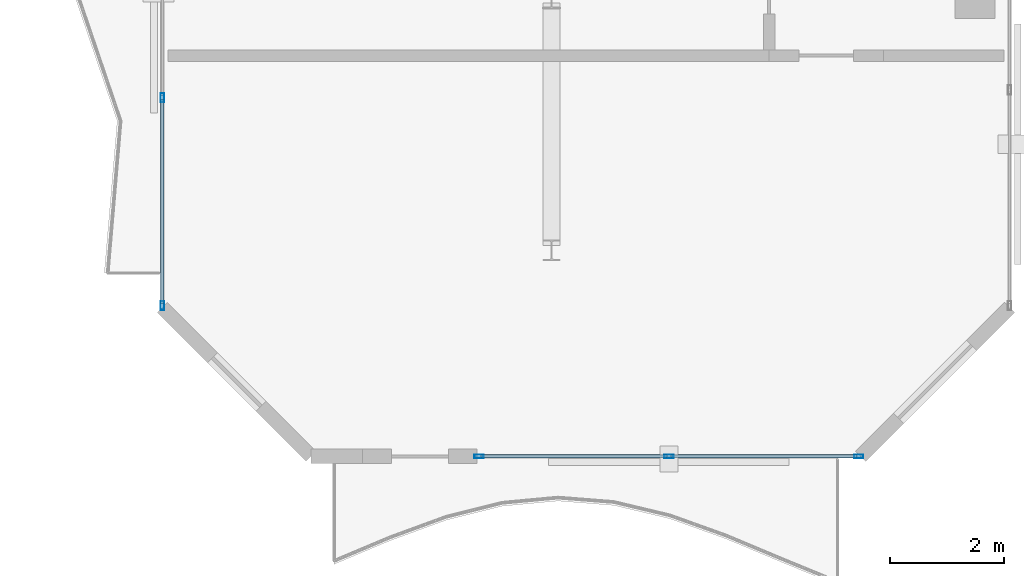
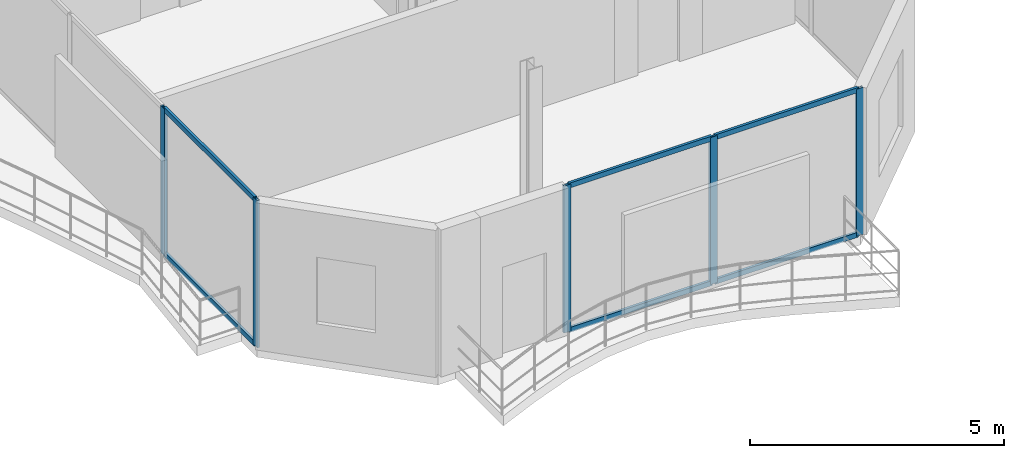
# One storey, part 2 of 17: 11 members, 2 elements without a shape of their own.
"""IFC4 building model written with IfcOpenShell, lengths in metres."""

import ifcopenshell
import ifcopenshell.guid

model = None  # the IFC model being written
_history = None  # IfcOwnerHistory: only IFC2X3 demands one
_inside = {}  # id of a spatial element -> (the spatial element, [elements in it])
_under = {}  # id of a project, library or spatial element -> (it, [spatial elements below it])
_declared = {}  # id of a project -> (the project, [libraries it declares])
_typed = {}  # id of a type object -> (the type object, [elements of that type])
_made_of = {}  # id of a material, layer set ... -> (it, [elements and type objects made of it])


def new_model(schema):
    """Start an empty IFC model of exactly this schema.

    Asked for "IFC4X3", IfcOpenShell would pick the latest addendum, in which some entities
    have other attributes; the version numbers below select the first issue.
    IFC2X3 requires an IfcOwnerHistory on every rooted entity: one is made here for all.
    """
    global model, _history
    if schema == "IFC4X3":
        model = ifcopenshell.file(schema_version=(4, 3, 0, 0))
    else:
        model = ifcopenshell.file(schema=schema)
    _inside.clear()
    _under.clear()
    _declared.clear()
    _typed.clear()
    _made_of.clear()
    _history = None
    if model.schema == "IFC2X3":
        org = make("IfcOrganization", Name="unknown")
        user = make(
            "IfcPersonAndOrganization",
            ThePerson=make("IfcPerson", FamilyName="unknown"),
            TheOrganization=org,
        )
        app = make(
            "IfcApplication",
            ApplicationDeveloper=org,
            Version="unknown",
            ApplicationFullName="unknown",
            ApplicationIdentifier="unknown",
        )
        _history = make(
            "IfcOwnerHistory",
            OwningUser=user,
            OwningApplication=app,
            ChangeAction="ADDED",
            CreationDate=0,
        )
    return model


def make(cls, **values):
    """One entity of the class cls with the attributes given. An attribute that is None is left unset."""
    return model.create_entity(
        cls, **{name: value for name, value in values.items() if value is not None}
    )


def rooted(cls, **values):
    """An entity with a GlobalId (a new one), such as an element, a storey or a relation."""
    return make(cls, GlobalId=ifcopenshell.guid.new(), OwnerHistory=_history, **values)


def si_unit(unit_type, name, prefix=None):
    """IfcSIUnit, for example si_unit("LENGTHUNIT", "METRE", prefix="MILLI")."""
    return make("IfcSIUnit", UnitType=unit_type, Prefix=prefix, Name=name)


def assignment(units):
    """IfcUnitAssignment: the units of a project."""
    return None if units is None else make("IfcUnitAssignment", Units=units)


def point(xyz):
    """IfcCartesianPoint."""
    return None if xyz is None else make("IfcCartesianPoint", Coordinates=xyz)


def direction(xyz):
    """IfcDirection."""
    return None if xyz is None else make("IfcDirection", DirectionRatios=xyz)


def frame(location, z_axis=None, x_axis=None):
    """IfcAxis2Placement3D, a coordinate frame: its origin and axes. An axis left out is left unset."""
    return make(
        "IfcAxis2Placement3D",
        Location=point(location),
        Axis=direction(z_axis),
        RefDirection=direction(x_axis),
    )


def frame_2d(location, x_axis=None):
    """IfcAxis2Placement2D, a coordinate frame in the plane: its origin and x axis."""
    return make(
        "IfcAxis2Placement2D", Location=point(location), RefDirection=direction(x_axis)
    )


def origin():
    """The frame at (0, 0, 0) with its axes left unset."""
    return frame((0.0, 0.0, 0.0))


def origin_2d():
    """The frame at (0, 0) in the plane with its x axis left unset."""
    return frame_2d((0.0, 0.0))


def place(relative_to, where):
    """IfcLocalPlacement: puts the frame where relative to a parent placement (None: the world)."""
    return make(
        "IfcLocalPlacement", PlacementRelTo=relative_to, RelativePlacement=where
    )


def context(
    kind, dimensions, precision=None, world=None, true_north=None, identifier=None
):
    """IfcGeometricRepresentationContext, for example the 3D "Model" context."""
    return make(
        "IfcGeometricRepresentationContext",
        ContextIdentifier=identifier,
        ContextType=kind,
        CoordinateSpaceDimension=dimensions,
        Precision=precision,
        WorldCoordinateSystem=world,
        TrueNorth=true_north,
    )


def subcontext(parent, identifier, kind, view, scale=None):
    """IfcGeometricRepresentationSubContext, for example "Body" below "Model"."""
    return make(
        "IfcGeometricRepresentationSubContext",
        ContextIdentifier=identifier,
        ContextType=kind,
        ParentContext=parent,
        TargetScale=scale,
        TargetView=view,
    )


def project(units=None, contexts=None):
    """IfcProject with its units and contexts."""
    return rooted(
        "IfcProject",
        Name="project",
        RepresentationContexts=contexts,
        UnitsInContext=assignment(units),
    )


def spatial(cls, under=None, at=None, **own):
    """A site, building, storey or space (cls), placed at a placement, below another one or the project."""
    s = rooted(cls, ObjectPlacement=at, **own)
    if under is not None:
        _under.setdefault(under.id(), (under, []))[1].append(s)
    return s


def profile(cls, at=None, kind="AREA", **sizes):
    """A parametric profile (cls). Its sizes go by their IFC names, for example OverallWidth=200.0."""
    return make(cls, ProfileType=kind, Position=at, **sizes)


def hollow_rectangle(**sizes):
    """IfcRectangleHollowProfileDef."""
    return profile("IfcRectangleHollowProfileDef", **sizes)


def extrude(swept, where, along, depth):
    """IfcExtrudedAreaSolid: the profile swept, set in the frame where, extruded along a direction by depth."""
    return make(
        "IfcExtrudedAreaSolid",
        SweptArea=swept,
        Position=where,
        ExtrudedDirection=direction(along),
        Depth=depth,
    )


def shape(context_of_items, identifier, shape_type, items):
    """IfcShapeRepresentation: the items that make up one representation, for example the "Body"."""
    return make(
        "IfcShapeRepresentation",
        ContextOfItems=context_of_items,
        RepresentationIdentifier=identifier,
        RepresentationType=shape_type,
        Items=items,
    )


def material(Name=None, Category=None):
    """IfcMaterial."""
    return make("IfcMaterial", Name=Name, Category=Category)


def layer(
    of_material, thickness, ventilated=None, Name=None, Category=None, Priority=None
):
    """IfcMaterialLayer: one layer of a wall or slab, of a material (None: an air gap)."""
    return make(
        "IfcMaterialLayer",
        Material=of_material,
        LayerThickness=thickness,
        IsVentilated=ventilated,
        Name=Name,
        Category=Category,
        Priority=Priority,
    )


def layer_set(layers, Name=None):
    """IfcMaterialLayerSet."""
    return make("IfcMaterialLayerSet", MaterialLayers=layers, LayerSetName=Name)


def material_profile(
    of_material, cross_section, Name=None, Category=None, Priority=None
):
    """IfcMaterialProfile: a cross section and its material."""
    return make(
        "IfcMaterialProfile",
        Name=Name,
        Material=of_material,
        Profile=cross_section,
        Priority=Priority,
        Category=Category,
    )


def profile_set(profiles, Name=None, composite=None):
    """IfcMaterialProfileSet."""
    return make(
        "IfcMaterialProfileSet",
        Name=Name,
        MaterialProfiles=profiles,
        CompositeProfile=composite,
    )


def made_of(thing, what):
    """Note that an element or type object is made of a material, layer set ...; save() writes the relation."""
    if what is not None:
        _made_of.setdefault(what.id(), (what, []))[1].append(thing)
    return thing


def type_object(cls, material=None, **own):
    """A type object (cls), such as IfcWallType, which elements share."""
    return made_of(rooted(cls, **own), material)


def element(
    cls,
    number,
    at=None,
    inside=None,
    cuts=None,
    type_object=None,
    material=None,
    context=None,
    identifier="Body",
    shape_type=None,
    held_by="IfcProductDefinitionShape",
    body=None,
    shapes=None,
    **own,
):
    """One element of the class cls, such as IfcWall. Its Tag is "e" and its number.

    at: its placement. inside: the storey or other place that contains it. cuts: it is an
    opening in that element (IfcRelVoidsElement). A single representation is given by context,
    identifier, shape_type and body (its items); several are given by shapes. held_by: the class
    of the entity that holds the representations. save() writes the other relations.
    """
    e = rooted(cls, Tag="e%d" % number, ObjectPlacement=at, **own)
    if body is not None:
        shapes = [shape(context, identifier, shape_type, body)]
    if shapes is not None:
        e.Representation = make(held_by, Representations=shapes)
    if inside is not None:
        _inside.setdefault(inside.id(), (inside, []))[1].append(e)
    if cuts is not None:
        rooted(
            "IfcRelVoidsElement", RelatingBuildingElement=cuts, RelatedOpeningElement=e
        )
    if type_object is not None:
        _typed.setdefault(type_object.id(), (type_object, []))[1].append(e)
    return made_of(e, material)


def aggregate(whole, parts):
    """IfcRelAggregates: a whole, such as a stair, and the parts it consists of."""
    return rooted("IfcRelAggregates", RelatingObject=whole, RelatedObjects=parts)


def save(model, path):
    """Write the relations noted so far, then the file.

    IfcRelAggregates (storeys below a building ...), IfcRelContainedInSpatialStructure (elements
    in a storey), IfcRelDefinesByType, IfcRelAssociatesMaterial and IfcRelDeclares: one each for
    every whole, place, type object, material and project.
    """
    for whole, parts in _under.values():
        aggregate(whole, parts)
    for where, things in _inside.values():
        rooted(
            "IfcRelContainedInSpatialStructure",
            RelatedElements=things,
            RelatingStructure=where,
        )
    for kind, things in _typed.values():
        rooted("IfcRelDefinesByType", RelatedObjects=things, RelatingType=kind)
    for what, things in _made_of.values():
        rooted("IfcRelAssociatesMaterial", RelatedObjects=things, RelatingMaterial=what)
    for by, libraries in _declared.values():
        rooted("IfcRelDeclares", RelatingContext=by, RelatedDefinitions=libraries)
    model.write(path)


model = new_model("IFC4")

# Units and contexts
model_context = context("Model", 3, precision=1e-05, world=origin(), true_north=direction((0.0, 1.0)))
body_context = subcontext(model_context, "Body", "Model", "MODEL_VIEW")
ifc_project = project(units=[si_unit("LENGTHUNIT", "METRE"), si_unit("AREAUNIT", "SQUARE_METRE"), si_unit("VOLUMEUNIT", "CUBIC_METRE"), si_unit("PLANEANGLEUNIT", "RADIAN"), si_unit("MASSUNIT", "GRAM", prefix="KILO")], contexts=[model_context])

# Site, building, storey
site_placement = place(None, origin())
site = spatial("IfcSite", under=ifc_project, at=site_placement, CompositionType="ELEMENT")
building_placement = place(site_placement, origin())
building = spatial("IfcBuilding", under=site, at=building_placement, Name="Catumbela Crestline Tower", CompositionType="ELEMENT")
storey_placement = place(building_placement, frame((0.0, 0.0, 283.0)))
storey = spatial("IfcBuildingStorey", under=building, at=storey_placement, Name="L73", CompositionType="ELEMENT", Elevation=283.0)

# Curtain wall, members
ifc_material = material(Name="Aluminium alloy AW-6060-T66", Category="aluminium")
ifc_layer = layer(ifc_material, 0.18, Name="Aluminium alloy AW-6060-T66")
ifc_layer_set = layer_set([ifc_layer], Name="Aluminium alloy AW-6060-T66")
curtain_wall_type = type_object("IfcCurtainWallType", Name="CWU-Z4", PredefinedType="USERDEFINED", material=ifc_layer_set)
curtain_wall_1_placement = place(storey_placement, origin())
curtain_wall_1 = element("IfcCurtainWall", 1, at=curtain_wall_1_placement, inside=storey, type_object=curtain_wall_type, Name="L73 Unitised Curtain Wall CW-L73-E0S2", ObjectType="UNITISED", PredefinedType="USERDEFINED")
ifc_material_profile_1 = material_profile(ifc_material, hollow_rectangle(XDim=0.06, YDim=0.16, WallThickness=0.004, at=origin_2d()), Name="ALU 160x60x4")
ifc_profile_set_1 = profile_set([ifc_material_profile_1], Name="Aluminium alloy AW-6060-T66")
member_type_1 = type_object("IfcMemberType", Name="MUL-160X60", PredefinedType="MULLION", material=ifc_profile_set_1)
member_1_placement = place(storey_placement, frame((14.7325, 10.0, 0.0), z_axis=(0.0, 0.0, 1.0), x_axis=(0.0, 1.0, 0.0)))
member_1 = element("IfcMember", 2, at=member_1_placement, type_object=member_type_1, Name="CWU-Z4 mullion 1", PredefinedType="MULLION", context=body_context, shape_type="SweptSolid", body=[
    extrude(hollow_rectangle(XDim=0.06, YDim=0.16, WallThickness=0.004, at=origin_2d()), origin(), (0.0, 0.0, 1.0), 3.53),
])
member_2_placement = place(storey_placement, frame((18.05, 10.0, 0.0), z_axis=(0.0, 0.0, 1.0), x_axis=(0.0, 1.0, 0.0)))
member_2 = element("IfcMember", 3, at=member_2_placement, type_object=member_type_1, Name="CWU-Z4 mullion 2", PredefinedType="MULLION", context=body_context, shape_type="SweptSolid", body=[
    extrude(hollow_rectangle(XDim=0.06, YDim=0.16, WallThickness=0.004, at=origin_2d()), origin(), (0.0, 0.0, 1.0), 3.53),
])
member_3_placement = place(storey_placement, frame((21.3675, 10.0, 0.0), z_axis=(0.0, 0.0, 1.0), x_axis=(0.0, 1.0, 0.0)))
member_3 = element("IfcMember", 4, at=member_3_placement, type_object=member_type_1, Name="CWU-Z4 mullion 3", PredefinedType="MULLION", context=body_context, shape_type="SweptSolid", body=[
    extrude(hollow_rectangle(XDim=0.06, YDim=0.16, WallThickness=0.004, at=origin_2d()), origin(), (0.0, 0.0, 1.0), 3.53),
])

curtain_wall_2_placement = place(storey_placement, origin())
curtain_wall_2 = element("IfcCurtainWall", 5, at=curtain_wall_2_placement, inside=storey, type_object=curtain_wall_type, Name="L73 Unitised Curtain Wall CW-L73-E9S2", ObjectType="UNITISED", PredefinedType="USERDEFINED")
member_4_placement = place(storey_placement, frame((9.2, 16.2667, 0.0), z_axis=(0.0, 0.0, 1.0), x_axis=(1.0, 0.0, 0.0)))
member_4 = element("IfcMember", 6, at=member_4_placement, type_object=member_type_1, Name="CWU-Z4 mullion 6", PredefinedType="MULLION", context=body_context, shape_type="SweptSolid", body=[
    extrude(hollow_rectangle(XDim=0.06, YDim=0.16, WallThickness=0.004, at=origin_2d()), origin(), (0.0, 0.0, 1.0), 3.53),
])
member_5_placement = place(storey_placement, frame((9.2, 12.6325, 0.0), z_axis=(0.0, 0.0, 1.0), x_axis=(1.0, 0.0, 0.0)))
member_5 = element("IfcMember", 7, at=member_5_placement, type_object=member_type_1, Name="CWU-Z4 mullion 7", PredefinedType="MULLION", context=body_context, shape_type="SweptSolid", body=[
    extrude(hollow_rectangle(XDim=0.06, YDim=0.16, WallThickness=0.004, at=origin_2d()), origin(), (0.0, 0.0, 1.0), 3.53),
])

# Member
ifc_material_profile_2 = material_profile(ifc_material, hollow_rectangle(XDim=0.06, YDim=0.12, WallThickness=0.0035, at=origin_2d()), Name="ALU 120x60x3.5")
ifc_profile_set_2 = profile_set([ifc_material_profile_2], Name="Aluminium alloy AW-6060-T66")
member_type_2 = type_object("IfcMemberType", Name="TRN-120X60", PredefinedType="USERDEFINED", material=ifc_profile_set_2)
member_6_placement = place(storey_placement, frame((14.765, 10.0, 0.03), z_axis=(1.0, 0.0, 0.0), x_axis=(0.0, 1.0, 0.0)))
member_6 = element("IfcMember", 8, at=member_6_placement, type_object=member_type_2, Name="CWU-Z4 transom 1.1", ObjectType="TRANSOM", PredefinedType="USERDEFINED", context=body_context, shape_type="SweptSolid", body=[
    extrude(hollow_rectangle(XDim=0.06, YDim=0.12, WallThickness=0.0035, at=origin_2d()), origin(), (0.0, 0.0, 1.0), 3.2525),
])

member_7_placement = place(storey_placement, frame((14.765, 10.0, 3.5), z_axis=(1.0, 0.0, 0.0), x_axis=(0.0, 1.0, 0.0)))
member_7 = element("IfcMember", 9, at=member_7_placement, type_object=member_type_2, Name="CWU-Z4 transom 1.2", ObjectType="TRANSOM", PredefinedType="USERDEFINED", context=body_context, shape_type="SweptSolid", body=[
    extrude(hollow_rectangle(XDim=0.06, YDim=0.12, WallThickness=0.0035, at=origin_2d()), origin(), (0.0, 0.0, 1.0), 3.2525),
])

member_8_placement = place(storey_placement, frame((18.0825, 10.0, 0.03), z_axis=(1.0, 0.0, 0.0), x_axis=(0.0, 1.0, 0.0)))
member_8 = element("IfcMember", 10, at=member_8_placement, type_object=member_type_2, Name="CWU-Z4 transom 2.1", ObjectType="TRANSOM", PredefinedType="USERDEFINED", context=body_context, shape_type="SweptSolid", body=[
    extrude(hollow_rectangle(XDim=0.06, YDim=0.12, WallThickness=0.0035, at=origin_2d()), origin(), (0.0, 0.0, 1.0), 3.2525),
])

member_9_placement = place(storey_placement, frame((18.0825, 10.0, 3.5), z_axis=(1.0, 0.0, 0.0), x_axis=(0.0, 1.0, 0.0)))
member_9 = element("IfcMember", 11, at=member_9_placement, type_object=member_type_2, Name="CWU-Z4 transom 2.2", ObjectType="TRANSOM", PredefinedType="USERDEFINED", context=body_context, shape_type="SweptSolid", body=[
    extrude(hollow_rectangle(XDim=0.06, YDim=0.12, WallThickness=0.0035, at=origin_2d()), origin(), (0.0, 0.0, 1.0), 3.2525),
])

aggregate(curtain_wall_1, [member_1, member_2, member_3, member_6, member_7, member_8, member_9])

member_10_placement = place(storey_placement, frame((9.2, 16.2342, 0.03), z_axis=(0.0, -1.0, 0.0), x_axis=(1.0, 0.0, 0.0)))
member_10 = element("IfcMember", 12, at=member_10_placement, type_object=member_type_2, Name="CWU-Z4 transom 6.1", ObjectType="TRANSOM", PredefinedType="USERDEFINED", context=body_context, shape_type="SweptSolid", body=[
    extrude(hollow_rectangle(XDim=0.06, YDim=0.12, WallThickness=0.0035, at=origin_2d()), origin(), (0.0, 0.0, 1.0), 3.5692),
])

member_11_placement = place(storey_placement, frame((9.2, 16.2342, 3.5), z_axis=(0.0, -1.0, 0.0), x_axis=(1.0, 0.0, 0.0)))
member_11 = element("IfcMember", 13, at=member_11_placement, type_object=member_type_2, Name="CWU-Z4 transom 6.2", ObjectType="TRANSOM", PredefinedType="USERDEFINED", context=body_context, shape_type="SweptSolid", body=[
    extrude(hollow_rectangle(XDim=0.06, YDim=0.12, WallThickness=0.0035, at=origin_2d()), origin(), (0.0, 0.0, 1.0), 3.5692),
])

aggregate(curtain_wall_2, [member_4, member_5, member_10, member_11])

save(model, "model.ifc")
